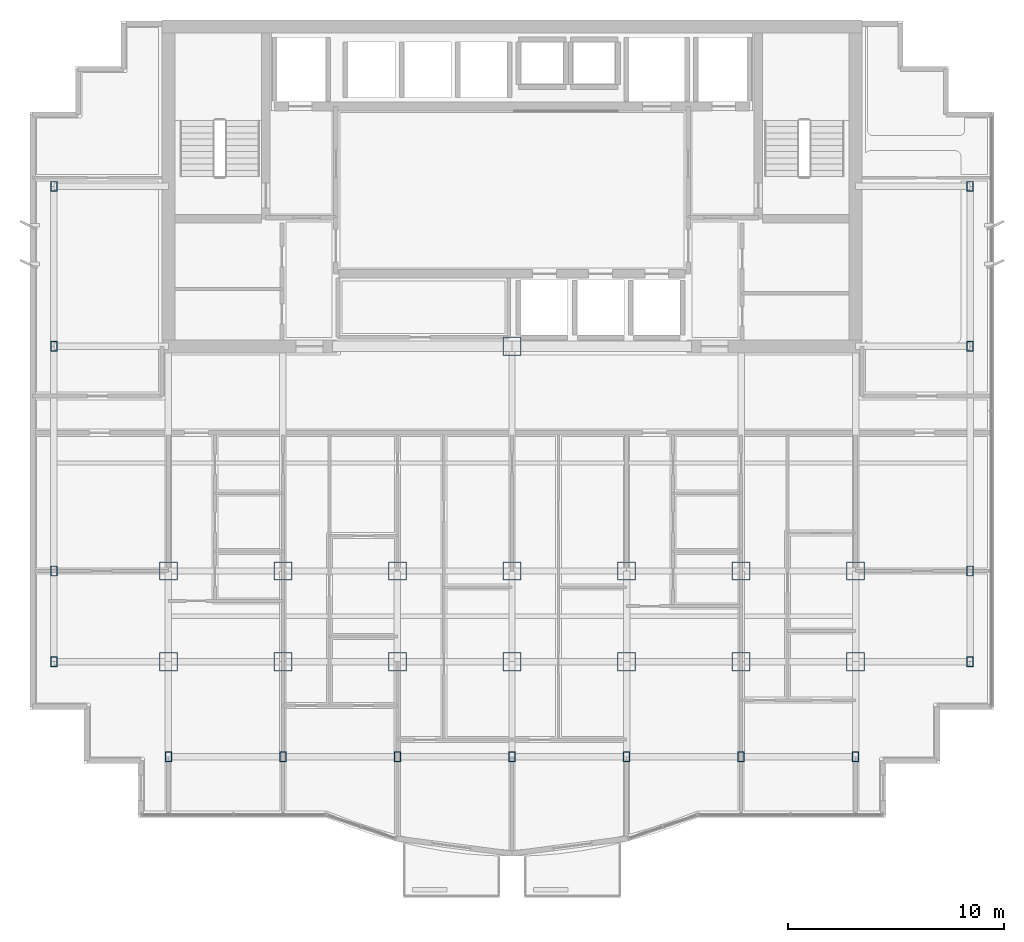
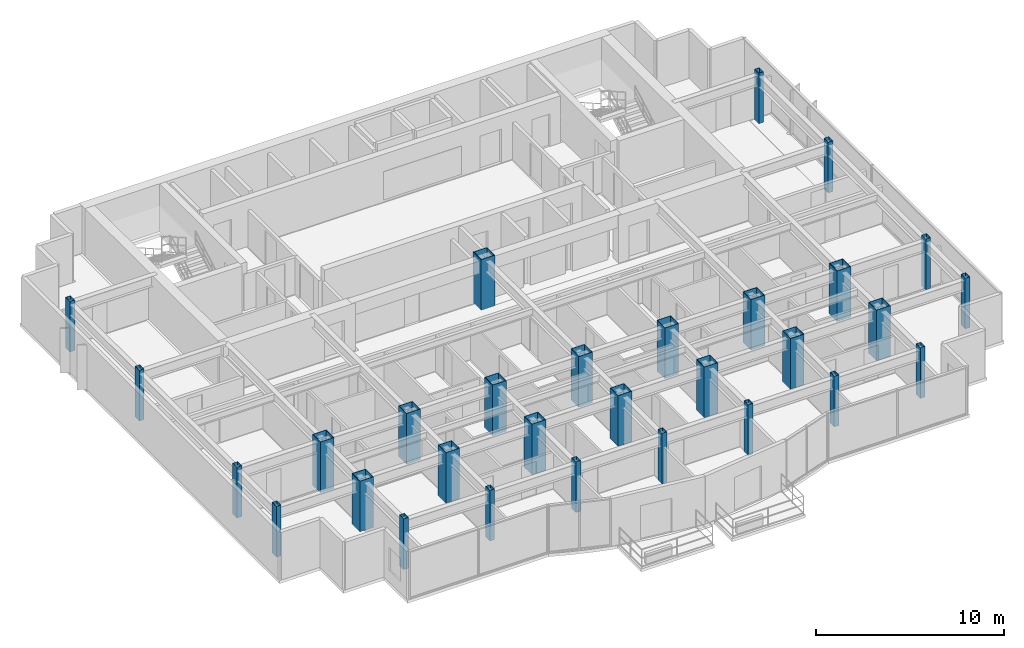
# One storey, part 1 of 13: 30 columns.
"""IFC4 building model written with IfcOpenShell, lengths in metres."""

import ifcopenshell
import ifcopenshell.guid

model = None  # the IFC model being written
_history = None  # IfcOwnerHistory: only IFC2X3 demands one
_inside = {}  # id of a spatial element -> (the spatial element, [elements in it])
_under = {}  # id of a project, library or spatial element -> (it, [spatial elements below it])
_declared = {}  # id of a project -> (the project, [libraries it declares])
_typed = {}  # id of a type object -> (the type object, [elements of that type])
_made_of = {}  # id of a material, layer set ... -> (it, [elements and type objects made of it])


def new_model(schema):
    """Start an empty IFC model of exactly this schema.

    Asked for "IFC4X3", IfcOpenShell would pick the latest addendum, in which some entities
    have other attributes; the version numbers below select the first issue.
    IFC2X3 requires an IfcOwnerHistory on every rooted entity: one is made here for all.
    """
    global model, _history
    if schema == "IFC4X3":
        model = ifcopenshell.file(schema_version=(4, 3, 0, 0))
    else:
        model = ifcopenshell.file(schema=schema)
    _inside.clear()
    _under.clear()
    _declared.clear()
    _typed.clear()
    _made_of.clear()
    _history = None
    if model.schema == "IFC2X3":
        org = make("IfcOrganization", Name="unknown")
        user = make(
            "IfcPersonAndOrganization",
            ThePerson=make("IfcPerson", FamilyName="unknown"),
            TheOrganization=org,
        )
        app = make(
            "IfcApplication",
            ApplicationDeveloper=org,
            Version="unknown",
            ApplicationFullName="unknown",
            ApplicationIdentifier="unknown",
        )
        _history = make(
            "IfcOwnerHistory",
            OwningUser=user,
            OwningApplication=app,
            ChangeAction="ADDED",
            CreationDate=0,
        )
    return model


def make(cls, **values):
    """One entity of the class cls with the attributes given. An attribute that is None is left unset."""
    return model.create_entity(
        cls, **{name: value for name, value in values.items() if value is not None}
    )


def rooted(cls, **values):
    """An entity with a GlobalId (a new one), such as an element, a storey or a relation."""
    return make(cls, GlobalId=ifcopenshell.guid.new(), OwnerHistory=_history, **values)


def si_unit(unit_type, name, prefix=None):
    """IfcSIUnit, for example si_unit("LENGTHUNIT", "METRE", prefix="MILLI")."""
    return make("IfcSIUnit", UnitType=unit_type, Prefix=prefix, Name=name)


def assignment(units):
    """IfcUnitAssignment: the units of a project."""
    return None if units is None else make("IfcUnitAssignment", Units=units)


def point(xyz):
    """IfcCartesianPoint."""
    return None if xyz is None else make("IfcCartesianPoint", Coordinates=xyz)


def direction(xyz):
    """IfcDirection."""
    return None if xyz is None else make("IfcDirection", DirectionRatios=xyz)


def frame(location, z_axis=None, x_axis=None):
    """IfcAxis2Placement3D, a coordinate frame: its origin and axes. An axis left out is left unset."""
    return make(
        "IfcAxis2Placement3D",
        Location=point(location),
        Axis=direction(z_axis),
        RefDirection=direction(x_axis),
    )


def frame_2d(location, x_axis=None):
    """IfcAxis2Placement2D, a coordinate frame in the plane: its origin and x axis."""
    return make(
        "IfcAxis2Placement2D", Location=point(location), RefDirection=direction(x_axis)
    )


def origin():
    """The frame at (0, 0, 0) with its axes left unset."""
    return frame((0.0, 0.0, 0.0))


def origin_2d():
    """The frame at (0, 0) in the plane with its x axis left unset."""
    return frame_2d((0.0, 0.0))


def place(relative_to, where):
    """IfcLocalPlacement: puts the frame where relative to a parent placement (None: the world)."""
    return make(
        "IfcLocalPlacement", PlacementRelTo=relative_to, RelativePlacement=where
    )


def context(
    kind, dimensions, precision=None, world=None, true_north=None, identifier=None
):
    """IfcGeometricRepresentationContext, for example the 3D "Model" context."""
    return make(
        "IfcGeometricRepresentationContext",
        ContextIdentifier=identifier,
        ContextType=kind,
        CoordinateSpaceDimension=dimensions,
        Precision=precision,
        WorldCoordinateSystem=world,
        TrueNorth=true_north,
    )


def subcontext(parent, identifier, kind, view, scale=None):
    """IfcGeometricRepresentationSubContext, for example "Body" below "Model"."""
    return make(
        "IfcGeometricRepresentationSubContext",
        ContextIdentifier=identifier,
        ContextType=kind,
        ParentContext=parent,
        TargetScale=scale,
        TargetView=view,
    )


def project(units=None, contexts=None):
    """IfcProject with its units and contexts."""
    return rooted(
        "IfcProject",
        Name="project",
        RepresentationContexts=contexts,
        UnitsInContext=assignment(units),
    )


def spatial(cls, under=None, at=None, **own):
    """A site, building, storey or space (cls), placed at a placement, below another one or the project."""
    s = rooted(cls, ObjectPlacement=at, **own)
    if under is not None:
        _under.setdefault(under.id(), (under, []))[1].append(s)
    return s


def profile(cls, at=None, kind="AREA", **sizes):
    """A parametric profile (cls). Its sizes go by their IFC names, for example OverallWidth=200.0."""
    return make(cls, ProfileType=kind, Position=at, **sizes)


def hollow_rectangle(**sizes):
    """IfcRectangleHollowProfileDef."""
    return profile("IfcRectangleHollowProfileDef", **sizes)


def extrude(swept, where, along, depth):
    """IfcExtrudedAreaSolid: the profile swept, set in the frame where, extruded along a direction by depth."""
    return make(
        "IfcExtrudedAreaSolid",
        SweptArea=swept,
        Position=where,
        ExtrudedDirection=direction(along),
        Depth=depth,
    )


def shape(context_of_items, identifier, shape_type, items):
    """IfcShapeRepresentation: the items that make up one representation, for example the "Body"."""
    return make(
        "IfcShapeRepresentation",
        ContextOfItems=context_of_items,
        RepresentationIdentifier=identifier,
        RepresentationType=shape_type,
        Items=items,
    )


def material(Name=None, Category=None):
    """IfcMaterial."""
    return make("IfcMaterial", Name=Name, Category=Category)


def material_profile(
    of_material, cross_section, Name=None, Category=None, Priority=None
):
    """IfcMaterialProfile: a cross section and its material."""
    return make(
        "IfcMaterialProfile",
        Name=Name,
        Material=of_material,
        Profile=cross_section,
        Priority=Priority,
        Category=Category,
    )


def profile_set(profiles, Name=None, composite=None):
    """IfcMaterialProfileSet."""
    return make(
        "IfcMaterialProfileSet",
        Name=Name,
        MaterialProfiles=profiles,
        CompositeProfile=composite,
    )


def made_of(thing, what):
    """Note that an element or type object is made of a material, layer set ...; save() writes the relation."""
    if what is not None:
        _made_of.setdefault(what.id(), (what, []))[1].append(thing)
    return thing


def type_object(cls, material=None, **own):
    """A type object (cls), such as IfcWallType, which elements share."""
    return made_of(rooted(cls, **own), material)


def element(
    cls,
    number,
    at=None,
    inside=None,
    cuts=None,
    type_object=None,
    material=None,
    context=None,
    identifier="Body",
    shape_type=None,
    held_by="IfcProductDefinitionShape",
    body=None,
    shapes=None,
    **own,
):
    """One element of the class cls, such as IfcWall. Its Tag is "e" and its number.

    at: its placement. inside: the storey or other place that contains it. cuts: it is an
    opening in that element (IfcRelVoidsElement). A single representation is given by context,
    identifier, shape_type and body (its items); several are given by shapes. held_by: the class
    of the entity that holds the representations. save() writes the other relations.
    """
    e = rooted(cls, Tag="e%d" % number, ObjectPlacement=at, **own)
    if body is not None:
        shapes = [shape(context, identifier, shape_type, body)]
    if shapes is not None:
        e.Representation = make(held_by, Representations=shapes)
    if inside is not None:
        _inside.setdefault(inside.id(), (inside, []))[1].append(e)
    if cuts is not None:
        rooted(
            "IfcRelVoidsElement", RelatingBuildingElement=cuts, RelatedOpeningElement=e
        )
    if type_object is not None:
        _typed.setdefault(type_object.id(), (type_object, []))[1].append(e)
    return made_of(e, material)


def aggregate(whole, parts):
    """IfcRelAggregates: a whole, such as a stair, and the parts it consists of."""
    return rooted("IfcRelAggregates", RelatingObject=whole, RelatedObjects=parts)


def save(model, path):
    """Write the relations noted so far, then the file.

    IfcRelAggregates (storeys below a building ...), IfcRelContainedInSpatialStructure (elements
    in a storey), IfcRelDefinesByType, IfcRelAssociatesMaterial and IfcRelDeclares: one each for
    every whole, place, type object, material and project.
    """
    for whole, parts in _under.values():
        aggregate(whole, parts)
    for where, things in _inside.values():
        rooted(
            "IfcRelContainedInSpatialStructure",
            RelatedElements=things,
            RelatingStructure=where,
        )
    for kind, things in _typed.values():
        rooted("IfcRelDefinesByType", RelatedObjects=things, RelatingType=kind)
    for what, things in _made_of.values():
        rooted("IfcRelAssociatesMaterial", RelatedObjects=things, RelatingMaterial=what)
    for by, libraries in _declared.values():
        rooted("IfcRelDeclares", RelatingContext=by, RelatedDefinitions=libraries)
    model.write(path)


model = new_model("IFC4")

# Units and contexts
model_context = context("Model", 3, precision=1e-05, world=origin(), true_north=direction((0.0, 1.0)))
body_context = subcontext(model_context, "Body", "Model", "MODEL_VIEW")
ifc_project = project(units=[si_unit("LENGTHUNIT", "METRE"), si_unit("AREAUNIT", "SQUARE_METRE"), si_unit("VOLUMEUNIT", "CUBIC_METRE"), si_unit("PLANEANGLEUNIT", "RADIAN"), si_unit("MASSUNIT", "GRAM", prefix="KILO")], contexts=[model_context])

# Site, building, storey
site_placement = place(None, origin())
site = spatial("IfcSite", under=ifc_project, at=site_placement, CompositionType="ELEMENT")
building_placement = place(site_placement, origin())
building = spatial("IfcBuilding", under=site, at=building_placement, Name="Qianlan Lanfeng Residences", CompositionType="ELEMENT")
storey_placement = place(building_placement, frame((0.0, 0.0, 178.800048828125)))
storey = spatial("IfcBuildingStorey", under=building, at=storey_placement, Name="L49", CompositionType="ELEMENT", Elevation=178.800048828125)

# Columns
ifc_material = material(Name="Steel SN490B", Category="steel")
ifc_material_profile_1 = material_profile(ifc_material, hollow_rectangle(XDim=0.85009765625, YDim=0.85009765625, WallThickness=0.028076171875, at=origin_2d()), Name="BOX 850x850x28")
ifc_profile_set_1 = profile_set([ifc_material_profile_1], Name="Steel SN490B")
column_type_1 = type_object("IfcColumnType", Name="C-B900", PredefinedType="COLUMN", material=ifc_profile_set_1)
for number, where, z_axis, x_axis, name in (
    (1, (26.5, 25.199951171875, 0.0), (0.0, 0.0, 1.0), (1.0, 0.0, 0.0), "L49 Structural Column CP_26.5_25.2"),
    (2, (10.60009765625, 14.800048828125, 0.0), (0.0, 0.0, 1.0), (1.0, 0.0, 0.0), "L49 Structural Column M_10.60_14.80"),
    (3, (10.60009765625, 10.60009765625, 0.0), (0.0, 0.0, 1.0), (1.0, 0.0, 0.0), "L49 Structural Column G_10.60_10.60"),
    (4, (15.89990234375, 14.800048828125, 0.0), (0.0, 0.0, 1.0), (1.0, 0.0, 0.0), "L49 Structural Column M_15.90_14.80"),
    (5, (15.89990234375, 10.60009765625, 0.0), (0.0, 0.0, 1.0), (1.0, 0.0, 0.0), "L49 Structural Column G_15.90_10.60"),
    (6, (21.199951171875, 14.800048828125, 0.0), (0.0, 0.0, 1.0), (1.0, 0.0, 0.0), "L49 Structural Column M_21.20_14.80"),
    (7, (21.199951171875, 10.60009765625, 0.0), (0.0, 0.0, 1.0), (1.0, 0.0, 0.0), "L49 Structural Column G_21.20_10.60"),
    (8, (26.5, 14.800048828125, 0.0), (0.0, 0.0, 1.0), (1.0, 0.0, 0.0), "L49 Structural Column M_26.50_14.80"),
    (9, (26.5, 10.60009765625, 0.0), (0.0, 0.0, 1.0), (1.0, 0.0, 0.0), "L49 Structural Column G_26.50_10.60"),
    (10, (31.800048828125, 14.800048828125, 0.0), (0.0, 0.0, 1.0), (1.0, 0.0, 0.0), "L49 Structural Column M_31.80_14.80"),
    (11, (31.800048828125, 10.60009765625, 0.0), (0.0, 0.0, 1.0), (1.0, 0.0, 0.0), "L49 Structural Column G_31.80_10.60"),
    (12, (37.10009765625, 14.800048828125, 0.0), (0.0, 0.0, 1.0), (1.0, 0.0, 0.0), "L49 Structural Column M_37.10_14.80"),
    (13, (37.10009765625, 10.60009765625, 0.0), (0.0, 0.0, 1.0), (1.0, 0.0, 0.0), "L49 Structural Column G_37.10_10.60"),
    (14, (42.39990234375, 14.800048828125, 0.0), (0.0, 0.0, 1.0), (1.0, 0.0, 0.0), "L49 Structural Column M_42.40_14.80"),
    (15, (42.39990234375, 10.60009765625, 0.0), (0.0, 0.0, 1.0), (1.0, 0.0, 0.0), "L49 Structural Column G_42.40_10.60"),
):
    element("IfcColumn", number, at=place(storey_placement, frame(where, z_axis=z_axis, x_axis=x_axis)), inside=storey, type_object=column_type_1, Name=name, PredefinedType="COLUMN", context=body_context, shape_type="SweptSolid", body=[
        extrude(hollow_rectangle(XDim=0.85009765625, YDim=0.85009765625, WallThickness=0.028076171875, at=origin_2d()), origin(), (0.0, 0.0, 1.0), 3.300048828125),
    ])
ifc_material_profile_2 = material_profile(ifc_material, hollow_rectangle(XDim=0.300048828125, YDim=0.449951171875, WallThickness=0.01611328125, at=origin_2d()), Name="RHS 450x300x16")
ifc_profile_set_2 = profile_set([ifc_material_profile_2], Name="Steel SN490B")
column_type_2 = type_object("IfcColumnType", Name="CE-B950", PredefinedType="COLUMN", material=ifc_profile_set_2)
for number, where, z_axis, x_axis, name in (
    (16, (10.60009765625, 6.199951171875, 0.0), (0.0, 0.0, 1.0), (1.0, 0.0, 0.0), "L49 Structural Column S_10.60_6.20"),
    (17, (15.89990234375, 6.199951171875, 0.0), (0.0, 0.0, 1.0), (1.0, 0.0, 0.0), "L49 Structural Column S_15.90_6.20"),
    (18, (21.199951171875, 6.199951171875, 0.0), (0.0, 0.0, 1.0), (1.0, 0.0, 0.0), "L49 Structural Column S_21.20_6.20"),
    (19, (26.5, 6.199951171875, 0.0), (0.0, 0.0, 1.0), (1.0, 0.0, 0.0), "L49 Structural Column S_26.50_6.20"),
    (20, (31.800048828125, 6.199951171875, 0.0), (0.0, 0.0, 1.0), (1.0, 0.0, 0.0), "L49 Structural Column S_31.80_6.20"),
    (21, (37.10009765625, 6.199951171875, 0.0), (0.0, 0.0, 1.0), (1.0, 0.0, 0.0), "L49 Structural Column S_37.10_6.20"),
    (22, (42.39990234375, 6.199951171875, 0.0), (0.0, 0.0, 1.0), (1.0, 0.0, 0.0), "L49 Structural Column S_42.40_6.20"),
    (23, (5.300048828125, 10.60009765625, 0.0), (0.0, 0.0, 1.0), (1.0, 0.0, 0.0), "L49 Structural Column W_5.30_10.60"),
    (24, (5.300048828125, 14.800048828125, 0.0), (0.0, 0.0, 1.0), (1.0, 0.0, 0.0), "L49 Structural Column W_5.30_14.80"),
    (25, (5.300048828125, 25.199951171875, 0.0), (0.0, 0.0, 1.0), (1.0, 0.0, 0.0), "L49 Structural Column W_5.30_25.20"),
    (26, (5.300048828125, 32.60009765625, 0.0), (0.0, 0.0, 1.0), (1.0, 0.0, 0.0), "L49 Structural Column W_5.30_32.60"),
    (27, (47.699951171875, 10.60009765625, 0.0), (0.0, 0.0, 1.0), (1.0, 0.0, 0.0), "L49 Structural Column W_47.70_10.60"),
    (28, (47.699951171875, 14.800048828125, 0.0), (0.0, 0.0, 1.0), (1.0, 0.0, 0.0), "L49 Structural Column W_47.70_14.80"),
    (29, (47.699951171875, 25.199951171875, 0.0), (0.0, 0.0, 1.0), (1.0, 0.0, 0.0), "L49 Structural Column W_47.70_25.20"),
    (30, (47.699951171875, 32.60009765625, 0.0), (0.0, 0.0, 1.0), (1.0, 0.0, 0.0), "L49 Structural Column W_47.70_32.60"),
):
    element("IfcColumn", number, at=place(storey_placement, frame(where, z_axis=z_axis, x_axis=x_axis)), inside=storey, type_object=column_type_2, Name=name, PredefinedType="COLUMN", context=body_context, shape_type="SweptSolid", body=[
        extrude(hollow_rectangle(XDim=0.300048828125, YDim=0.449951171875, WallThickness=0.01611328125, at=origin_2d()), origin(), (0.0, 0.0, 1.0), 3.300048828125),
    ])

save(model, "model.ifc")
